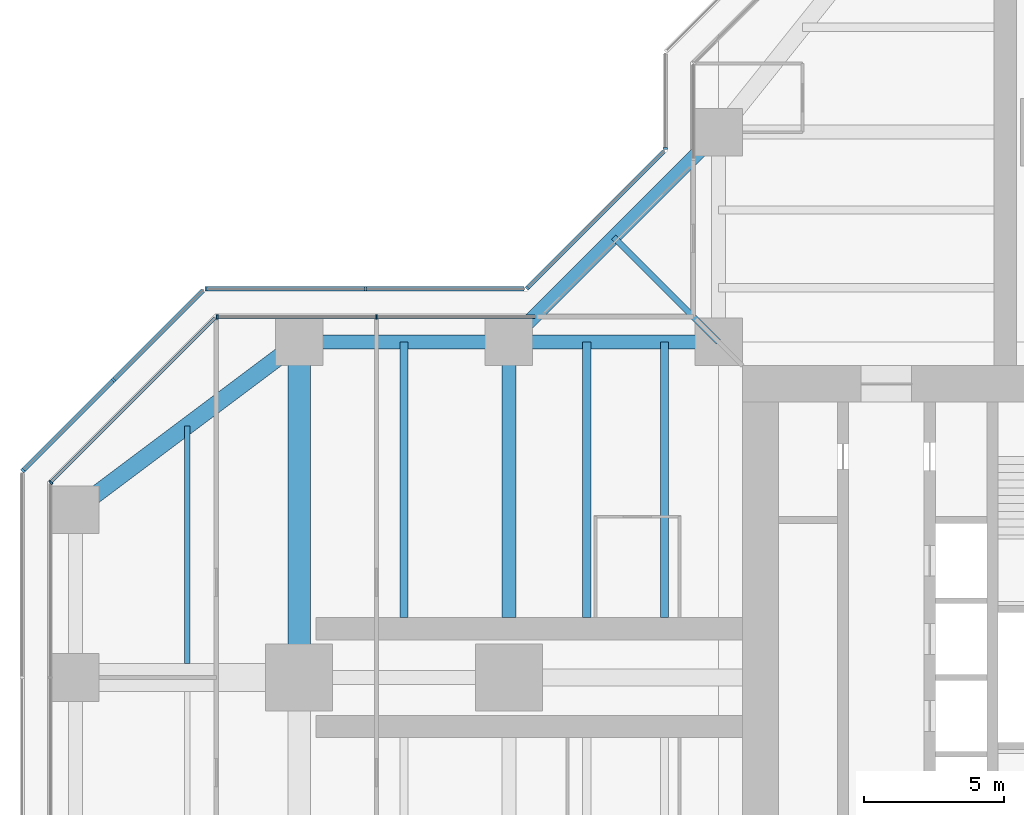
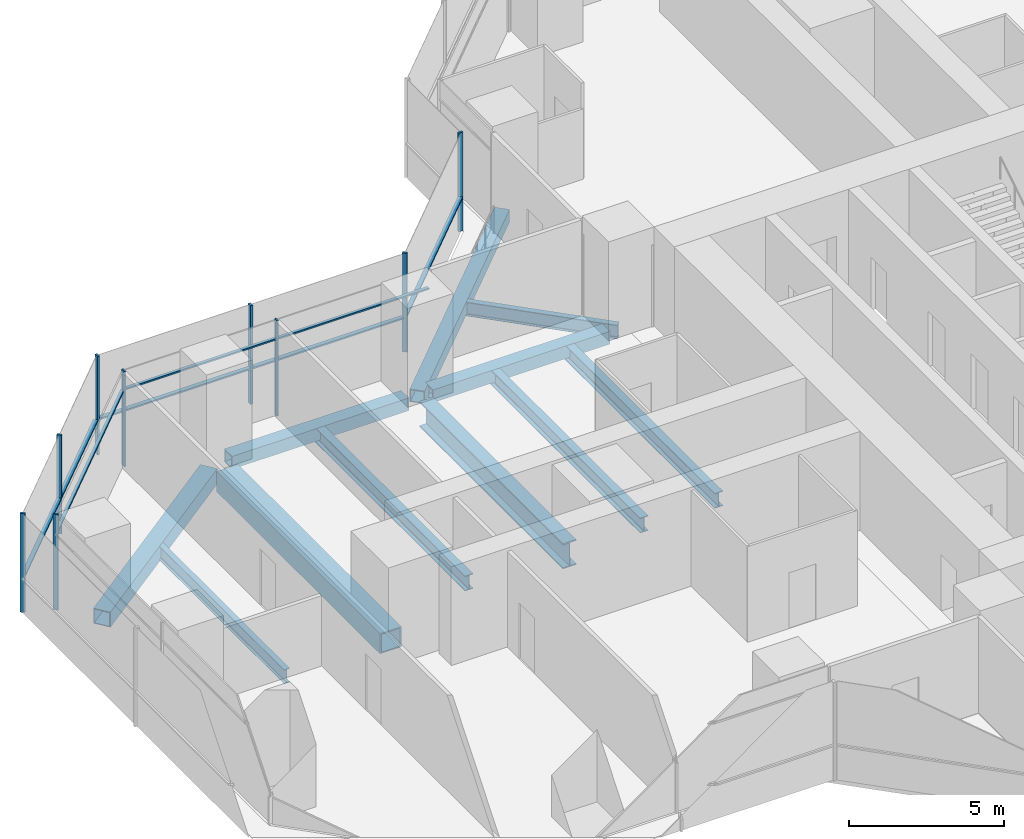
# One storey, part 7 of 20: 17 members, 11 beams, 6 elements without a shape of their own.
"""IFC4 building model written with IfcOpenShell, lengths in metres."""

from ifc_helpers import new_model, si_unit, direction, frame, origin, origin_2d, place, context, subcontext, project, spatial, rectangle, hollow_rectangle, i_section, extrude, material, material_profile, profile_set, type_object, element, aggregate, save


model = new_model("IFC4")

# Units and contexts
model_context = context("Model", 3, precision=1e-05, world=origin(), true_north=direction((0.0, 1.0)))
body_context = subcontext(model_context, "Body", "Model", "MODEL_VIEW")
ifc_project = project(units=[si_unit("LENGTHUNIT", "METRE"), si_unit("AREAUNIT", "SQUARE_METRE"), si_unit("VOLUMEUNIT", "CUBIC_METRE"), si_unit("PLANEANGLEUNIT", "RADIAN"), si_unit("MASSUNIT", "GRAM", prefix="KILO")], contexts=[model_context])

# Site, building, storey
site_placement = place(None, origin())
site = spatial("IfcSite", under=ifc_project, at=site_placement, CompositionType="ELEMENT")
building_placement = place(site_placement, origin())
building = spatial("IfcBuilding", under=site, at=building_placement, Name="Mizan Broadcast Tower", CompositionType="ELEMENT")
storey_placement = place(building_placement, frame((0.0, 0.0, 151.5)))
storey = spatial("IfcBuildingStorey", under=building, at=storey_placement, Name="L34", CompositionType="ELEMENT", Elevation=151.5)

# Beams
ifc_material_1 = material(Name="Steel S355", Category="steel")
ifc_material_profile_1 = material_profile(ifc_material_1, hollow_rectangle(XDim=0.5, YDim=0.5, WallThickness=0.030029296875, at=origin_2d()), Name="BOX 500x500x30")
ifc_profile_set_1 = profile_set([ifc_material_profile_1], Name="Steel S355")
beam_type_1 = type_object("IfcBeamType", Name="EDGE BEAM BOX 500x500x30", PredefinedType="SPANDREL", material=ifc_profile_set_1)
for number, where, z_axis, x_axis, name in (
    (1, (-12.449951171875, 12.0, -0.3798828125), (-1.0, 0.0, 0.0), (0.0, -1.0, 0.0), "Edge beam BOX 500x500x30 L34 west arm"),
    (2, (-19.949951171875, 12.0, -0.3798828125), (-1.0, 0.0, 0.0), (0.0, -1.0, 0.0), "Edge beam BOX 500x500x30 L34 west arm"),
):
    element("IfcBeam", number, at=place(storey_placement, frame(where, z_axis=z_axis, x_axis=x_axis)), inside=storey, type_object=beam_type_1, Name=name, PredefinedType="SPANDREL", context=body_context, shape_type="SweptSolid", body=[
        extrude(hollow_rectangle(XDim=0.5, YDim=0.5, WallThickness=0.030029296875, at=origin_2d()), origin(), (0.0, 0.0, 1.0), 6.60009765625),
    ])
beam_1_placement = place(storey_placement, frame((-12.0, 19.5, -0.3798828125), z_axis=(-0.707106781187, -0.707106781187, 0.0), x_axis=(0.707106781187, -0.707106781187, 0.0)))
element("IfcBeam", 3, at=beam_1_placement, inside=storey, type_object=beam_type_1, Name="Winter garden edge beam L34 N", PredefinedType="SPANDREL", context=body_context, shape_type="SweptSolid", body=[
    extrude(hollow_rectangle(XDim=0.5, YDim=0.5, WallThickness=0.030029296875, at=origin_2d()), origin(), (0.0, 0.0, 1.0), 10.606689453125),
])
ifc_material_2 = material(Name="Steel S355", Category="steel")
ifc_material_profile_2 = material_profile(ifc_material_2, hollow_rectangle(XDim=0.60009765625, YDim=0.60009765625, WallThickness=0.030029296875, at=origin_2d()), Name="BOX 600x600x30")
ifc_profile_set_2 = profile_set([ifc_material_profile_2], Name="Steel S355")
beam_type_2 = type_object("IfcBeamType", Name="EDGE BEAM BOX 600x600x30", PredefinedType="SPANDREL", material=ifc_profile_set_2)
beam_2_placement = place(storey_placement, frame((-27.47998046875, 11.639892578125, -0.429931640625), z_axis=(-0.800013316712, -0.599982243973, 0.0), x_axis=(0.599982243973, -0.800013316712, 0.0)))
element("IfcBeam", 4, at=beam_2_placement, inside=storey, type_object=beam_type_2, Name="Edge beam BOX 600x600x30 L34 west arm", PredefinedType="SPANDREL", context=body_context, shape_type="SweptSolid", body=[
    extrude(hollow_rectangle(XDim=0.60009765625, YDim=0.60009765625, WallThickness=0.030029296875, at=origin_2d()), origin(), (0.0, 0.0, 1.0), 8.7998046875),
])
ifc_material_3 = material(Name="Steel S460", Category="steel")
ifc_material_profile_3 = material_profile(ifc_material_3, hollow_rectangle(XDim=0.800048828125, YDim=0.800048828125, WallThickness=0.050048828125, at=origin_2d()), Name="BOX 800x800x50")
ifc_profile_set_3 = profile_set([ifc_material_profile_3], Name="Steel S460")
beam_type_3 = type_object("IfcBeamType", Name="GIRDER BOX 800x800x50", PredefinedType="BEAM", material=ifc_profile_set_3)
beam_3_placement = place(storey_placement, frame((-27.0, 11.280029296875, -0.530029296875), z_axis=(0.0, -1.0, 0.0), x_axis=(1.0, 0.0, 0.0)))
element("IfcBeam", 5, at=beam_3_placement, inside=storey, type_object=beam_type_3, Name="Girder BOX 800x800x50 L34 west arm", PredefinedType="BEAM", context=body_context, shape_type="SweptSolid", body=[
    extrude(hollow_rectangle(XDim=0.800048828125, YDim=0.800048828125, WallThickness=0.050048828125, at=origin_2d()), origin(), (0.0, 0.0, 1.0), 10.56005859375),
])
ifc_material_4 = material(Name="Steel S460", Category="steel")
ifc_material_profile_4 = material_profile(ifc_material_4, i_section(OverallWidth=0.5, OverallDepth=1.0, WebThickness=0.02490234375, FlangeThickness=0.050048828125, at=origin_2d()), Name="WPG 1000x500")
ifc_profile_set_4 = profile_set([ifc_material_profile_4], Name="Steel S460")
beam_type_4 = type_object("IfcBeamType", Name="GIRDER WPG 1000x500", PredefinedType="BEAM", material=ifc_profile_set_4)
beam_4_placement = place(storey_placement, frame((-19.5, 11.408935546875, -0.6298828125), z_axis=(0.0, -1.0, 0.0), x_axis=(1.0, 0.0, 0.0)))
element("IfcBeam", 6, at=beam_4_placement, inside=storey, type_object=beam_type_4, Name="Girder WPG 1000x500 L34 west arm", PredefinedType="BEAM", context=body_context, shape_type="SweptSolid", body=[
    extrude(i_section(OverallWidth=0.5, OverallDepth=1.0, WebThickness=0.02490234375, FlangeThickness=0.050048828125, at=origin_2d()), origin(), (0.0, 0.0, 1.0), 9.259033203125),
])

# Curtain wall, members
ifc_material_5 = material(Name="Aluminium framed glazing", Category="aluminium")
curtain_wall_type_1 = type_object("IfcCurtainWallType", Name="INNER SKIN MID ZONE", PredefinedType="USERDEFINED", material=ifc_material_5)
curtain_wall_1_placement = place(storey_placement, origin())
curtain_wall_1 = element("IfcCurtainWall", 7, at=curtain_wall_1_placement, inside=storey, type_object=curtain_wall_type_1, Name="Inner skin mid zone L34 W side", ObjectType="INNER SKIN MID ZONE", PredefinedType="USERDEFINED")
ifc_material_6 = material(Name="Aluminium, pale anodised", Category="aluminium")
ifc_material_profile_5 = material_profile(ifc_material_6, rectangle(XDim=0.159912109375, YDim=0.06005859375, at=origin_2d()), Name="MULLION 160x60")
ifc_profile_set_5 = profile_set([ifc_material_profile_5], Name="Aluminium, pale anodised")
member_type_1 = type_object("IfcMemberType", Name="INNER SKIN MULLION 60x160", PredefinedType="MULLION", material=ifc_profile_set_5)
member_1_placement = place(storey_placement, frame((-24.229248046875, 12.89990234375, 0.0), z_axis=(0.0, 0.0, 1.0), x_axis=(0.0, -1.0, 0.0)))
member_1 = element("IfcMember", 8, at=member_1_placement, type_object=member_type_1, Name="Inner skin mid zone L34 W side mullion 2", PredefinedType="MULLION", context=body_context, shape_type="SweptSolid", body=[
    extrude(rectangle(XDim=0.159912109375, YDim=0.06005859375, at=origin_2d()), origin(), (0.0, 0.0, 1.0), 3.77001953125),
])
member_2_placement = place(storey_placement, frame((-29.928466796875, 12.89990234375, 0.0), z_axis=(0.0, 0.0, 1.0), x_axis=(0.0, -1.0, 0.0)))
member_2 = element("IfcMember", 9, at=member_2_placement, type_object=member_type_1, Name="Inner skin mid zone L34 W side mullion 3", PredefinedType="MULLION", context=body_context, shape_type="SweptSolid", body=[
    extrude(rectangle(XDim=0.159912109375, YDim=0.06005859375, at=origin_2d()), origin(), (0.0, 0.0, 1.0), 3.77001953125),
])

# Curtain wall, member
curtain_wall_2_placement = place(storey_placement, origin())
curtain_wall_2 = element("IfcCurtainWall", 10, at=curtain_wall_2_placement, inside=storey, type_object=curtain_wall_type_1, Name="Inner skin mid zone L34 W chamfer", ObjectType="INNER SKIN MID ZONE", PredefinedType="USERDEFINED")
member_3_placement = place(storey_placement, frame((-35.87890625, 6.979736328125, 0.0), z_axis=(0.0, 0.0, 1.0), x_axis=(0.707106781187, -0.707106781187, 0.0)))
member_3 = element("IfcMember", 11, at=member_3_placement, type_object=member_type_1, Name="Inner skin mid zone L34 W chamfer mullion 2", PredefinedType="MULLION", context=body_context, shape_type="SweptSolid", body=[
    extrude(rectangle(XDim=0.159912109375, YDim=0.06005859375, at=origin_2d()), origin(), (0.0, 0.0, 1.0), 3.77001953125),
])

# Member
ifc_material_7 = material(Name="Aluminium, pale anodised", Category="aluminium")
ifc_material_profile_6 = material_profile(ifc_material_7, rectangle(XDim=0.1201171875, YDim=0.06005859375, at=origin_2d()), Name="TRANSOM 120x60")
ifc_profile_set_6 = profile_set([ifc_material_profile_6], Name="Aluminium, pale anodised")
member_type_2 = type_object("IfcMemberType", Name="INNER SKIN TRANSOM 60x120", PredefinedType="USERDEFINED", material=ifc_profile_set_6)
member_4_placement = place(storey_placement, frame((-18.56005859375, 12.89990234375, 3.030029296875), z_axis=(-1.0, 0.0, 0.0), x_axis=(0.0, -1.0, 0.0)))
member_4 = element("IfcMember", 12, at=member_4_placement, type_object=member_type_2, Name="Inner skin mid zone L34 W side transom 1.1", ObjectType="TRANSOM", PredefinedType="USERDEFINED", context=body_context, shape_type="SweptSolid", body=[
    extrude(rectangle(XDim=0.1201171875, YDim=0.06005859375, at=origin_2d()), origin(), (0.0, 0.0, 1.0), 5.63916015625),
])

member_5_placement = place(storey_placement, frame((-24.25927734375, 12.89990234375, 3.030029296875), z_axis=(-1.0, 0.0, 0.0), x_axis=(0.0, -1.0, 0.0)))
member_5 = element("IfcMember", 13, at=member_5_placement, type_object=member_type_2, Name="Inner skin mid zone L34 W side transom 2.1", ObjectType="TRANSOM", PredefinedType="USERDEFINED", context=body_context, shape_type="SweptSolid", body=[
    extrude(rectangle(XDim=0.1201171875, YDim=0.06005859375, at=origin_2d()), origin(), (0.0, 0.0, 1.0), 5.639404296875),
])

aggregate(curtain_wall_1, [member_1, member_2, member_4, member_5])

member_6_placement = place(storey_placement, frame((-30.0009765625, 12.857666015625, 3.030029296875), z_axis=(-0.707106781187, -0.707106781187, 0.0), x_axis=(0.707106781187, -0.707106781187, 0.0)))
member_6 = element("IfcMember", 14, at=member_6_placement, type_object=member_type_2, Name="Inner skin mid zone L34 W chamfer transom 1.1", ObjectType="TRANSOM", PredefinedType="USERDEFINED", context=body_context, shape_type="SweptSolid", body=[
    extrude(rectangle(XDim=0.1201171875, YDim=0.06005859375, at=origin_2d()), origin(), (0.0, 0.0, 1.0), 8.28271484375),
])

aggregate(curtain_wall_2, [member_3, member_6])

# Curtain wall, member
ifc_material_8 = material(Name="Aluminium framed glazing", Category="aluminium")
curtain_wall_type_2 = type_object("IfcCurtainWallType", Name="OUTER SKIN", PredefinedType="USERDEFINED", material=ifc_material_8)
curtain_wall_3_placement = place(storey_placement, origin())
curtain_wall_3 = element("IfcCurtainWall", 15, at=curtain_wall_3_placement, inside=storey, type_object=curtain_wall_type_2, Name="Outer skin L34 N side", ObjectType="OUTER SKIN", PredefinedType="USERDEFINED")
ifc_material_9 = material(Name="Aluminium, pale anodised", Category="aluminium")
ifc_material_profile_7 = material_profile(ifc_material_9, rectangle(XDim=0.159912109375, YDim=0.080078125, at=origin_2d()), Name="MULLION 160x80")
ifc_profile_set_7 = profile_set([ifc_material_profile_7], Name="Aluminium, pale anodised")
member_type_3 = type_object("IfcMemberType", Name="OUTER SKIN MULLION 80x160", PredefinedType="MULLION", material=ifc_profile_set_7)
member_7_placement = place(storey_placement, frame((-13.89990234375, 18.912841796875, 0.0), z_axis=(0.0, 0.0, 1.0), x_axis=(1.0, 0.0, 0.0)))
member_7 = element("IfcMember", 16, at=member_7_placement, type_object=member_type_3, Name="Outer skin L34 N side mullion 2", PredefinedType="MULLION", context=body_context, shape_type="SweptSolid", body=[
    extrude(rectangle(XDim=0.159912109375, YDim=0.080078125, at=origin_2d()), origin(), (0.0, 0.0, 1.0), 3.89990234375),
])
aggregate(curtain_wall_3, [member_7])

curtain_wall_4_placement = place(storey_placement, origin())
curtain_wall_4 = element("IfcCurtainWall", 17, at=curtain_wall_4_placement, inside=storey, type_object=curtain_wall_type_2, Name="Outer skin L34 W chamfer", ObjectType="OUTER SKIN", PredefinedType="USERDEFINED")
member_8_placement = place(storey_placement, frame((-18.844482421875, 13.92822265625, 0.0), z_axis=(0.0, 0.0, 1.0), x_axis=(0.707106781187, -0.707106781187, 0.0)))
member_8 = element("IfcMember", 18, at=member_8_placement, type_object=member_type_3, Name="Outer skin L34 W chamfer mullion 2", PredefinedType="MULLION", context=body_context, shape_type="SweptSolid", body=[
    extrude(rectangle(XDim=0.159912109375, YDim=0.080078125, at=origin_2d()), origin(), (0.0, 0.0, 1.0), 3.89990234375),
])

# Curtain wall, members
curtain_wall_5_placement = place(storey_placement, origin())
curtain_wall_5 = element("IfcCurtainWall", 19, at=curtain_wall_5_placement, inside=storey, type_object=curtain_wall_type_2, Name="Outer skin L34 W side", ObjectType="OUTER SKIN", PredefinedType="USERDEFINED")
member_9_placement = place(storey_placement, frame((-24.622802734375, 13.89990234375, 0.0), z_axis=(0.0, 0.0, 1.0), x_axis=(0.0, -1.0, 0.0)))
member_9 = element("IfcMember", 20, at=member_9_placement, type_object=member_type_3, Name="Outer skin L34 W side mullion 2", PredefinedType="MULLION", context=body_context, shape_type="SweptSolid", body=[
    extrude(rectangle(XDim=0.159912109375, YDim=0.080078125, at=origin_2d()), origin(), (0.0, 0.0, 1.0), 3.89990234375),
])
member_10_placement = place(storey_placement, frame((-30.332763671875, 13.89990234375, 0.0), z_axis=(0.0, 0.0, 1.0), x_axis=(0.0, -1.0, 0.0)))
member_10 = element("IfcMember", 21, at=member_10_placement, type_object=member_type_3, Name="Outer skin L34 W side mullion 3", PredefinedType="MULLION", context=body_context, shape_type="SweptSolid", body=[
    extrude(rectangle(XDim=0.159912109375, YDim=0.080078125, at=origin_2d()), origin(), (0.0, 0.0, 1.0), 3.89990234375),
])

curtain_wall_6_placement = place(storey_placement, origin())
curtain_wall_6 = element("IfcCurtainWall", 22, at=curtain_wall_6_placement, inside=storey, type_object=curtain_wall_type_2, Name="Outer skin L34 W chamfer", ObjectType="OUTER SKIN", PredefinedType="USERDEFINED")
member_11_placement = place(storey_placement, frame((-33.636474609375, 10.636474609375, 0.0), z_axis=(0.0, 0.0, 1.0), x_axis=(0.707106781187, -0.707106781187, 0.0)))
member_11 = element("IfcMember", 23, at=member_11_placement, type_object=member_type_3, Name="Outer skin L34 W chamfer mullion 2", PredefinedType="MULLION", context=body_context, shape_type="SweptSolid", body=[
    extrude(rectangle(XDim=0.159912109375, YDim=0.080078125, at=origin_2d()), origin(), (0.0, 0.0, 1.0), 3.89990234375),
])
member_12_placement = place(storey_placement, frame((-36.871826171875, 7.401123046875, 0.0), z_axis=(0.0, 0.0, 1.0), x_axis=(0.707106781187, -0.707106781187, 0.0)))
member_12 = element("IfcMember", 24, at=member_12_placement, type_object=member_type_3, Name="Outer skin L34 W chamfer mullion 3", PredefinedType="MULLION", context=body_context, shape_type="SweptSolid", body=[
    extrude(rectangle(XDim=0.159912109375, YDim=0.080078125, at=origin_2d()), origin(), (0.0, 0.0, 1.0), 3.89990234375),
])

# Member
ifc_material_10 = material(Name="Aluminium, pale anodised", Category="aluminium")
ifc_material_profile_8 = material_profile(ifc_material_10, rectangle(XDim=0.159912109375, YDim=0.06005859375, at=origin_2d()), Name="TRANSOM 160x60")
ifc_profile_set_8 = profile_set([ifc_material_profile_8], Name="Aluminium, pale anodised")
member_type_4 = type_object("IfcMemberType", Name="OUTER SKIN TRANSOM 60x160", PredefinedType="USERDEFINED", material=ifc_profile_set_8)
member_13_placement = place(storey_placement, frame((-13.95654296875, 18.816162109375, 1.39990234375), z_axis=(-0.707106781187, -0.707106781187, 0.0), x_axis=(0.707106781187, -0.707106781187, 0.0)))
member_13 = element("IfcMember", 25, at=member_13_placement, type_object=member_type_4, Name="Outer skin L34 W chamfer transom 1.1", ObjectType="TRANSOM", PredefinedType="USERDEFINED", context=body_context, shape_type="SweptSolid", body=[
    extrude(rectangle(XDim=0.159912109375, YDim=0.06005859375, at=origin_2d()), origin(), (0.0, 0.0, 1.0), 6.87255859375),
])

aggregate(curtain_wall_4, [member_8, member_13])

member_14_placement = place(storey_placement, frame((-18.952880859375, 13.89990234375, 1.39990234375), z_axis=(-1.0, 0.0, 0.0), x_axis=(0.0, -1.0, 0.0)))
member_14 = element("IfcMember", 26, at=member_14_placement, type_object=member_type_4, Name="Outer skin L34 W side transom 1.1", ObjectType="TRANSOM", PredefinedType="USERDEFINED", context=body_context, shape_type="SweptSolid", body=[
    extrude(rectangle(XDim=0.159912109375, YDim=0.06005859375, at=origin_2d()), origin(), (0.0, 0.0, 1.0), 5.6298828125),
])

member_15_placement = place(storey_placement, frame((-24.662841796875, 13.89990234375, 1.39990234375), z_axis=(-1.0, 0.0, 0.0), x_axis=(0.0, -1.0, 0.0)))
member_15 = element("IfcMember", 27, at=member_15_placement, type_object=member_type_4, Name="Outer skin L34 W side transom 2.1", ObjectType="TRANSOM", PredefinedType="USERDEFINED", context=body_context, shape_type="SweptSolid", body=[
    extrude(rectangle(XDim=0.159912109375, YDim=0.06005859375, at=origin_2d()), origin(), (0.0, 0.0, 1.0), 5.6298828125),
])

aggregate(curtain_wall_5, [member_9, member_10, member_14, member_15])

member_16_placement = place(storey_placement, frame((-30.429443359375, 13.843505859375, 1.39990234375), z_axis=(-0.707106781187, -0.707106781187, 0.0), x_axis=(0.707106781187, -0.707106781187, 0.0)))
member_16 = element("IfcMember", 28, at=member_16_placement, type_object=member_type_4, Name="Outer skin L34 W chamfer transom 1.1", ObjectType="TRANSOM", PredefinedType="USERDEFINED", context=body_context, shape_type="SweptSolid", body=[
    extrude(rectangle(XDim=0.159912109375, YDim=0.06005859375, at=origin_2d()), origin(), (0.0, 0.0, 1.0), 4.495361328125),
])

member_17_placement = place(storey_placement, frame((-33.664794921875, 10.608154296875, 1.39990234375), z_axis=(-0.707106781187, -0.707106781187, 0.0), x_axis=(0.707106781187, -0.707106781187, 0.0)))
member_17 = element("IfcMember", 29, at=member_17_placement, type_object=member_type_4, Name="Outer skin L34 W chamfer transom 2.1", ObjectType="TRANSOM", PredefinedType="USERDEFINED", context=body_context, shape_type="SweptSolid", body=[
    extrude(rectangle(XDim=0.159912109375, YDim=0.06005859375, at=origin_2d()), origin(), (0.0, 0.0, 1.0), 4.495361328125),
])

aggregate(curtain_wall_6, [member_11, member_12, member_16, member_17])

# Beams
ifc_material_11 = material(Name="Steel S355", Category="steel")
ifc_material_profile_9 = material_profile(ifc_material_11, i_section(OverallWidth=0.300048828125, OverallDepth=0.590087890625, WebThickness=0.012939453125, FlangeThickness=0.02490234375, FilletRadius=0.027099609375, at=origin_2d()), Name="HEA 600")
ifc_profile_set_9 = profile_set([ifc_material_profile_9], Name="Steel S355")
beam_type_5 = type_object("IfcBeamType", Name="SECONDARY BEAM HEA 600", PredefinedType="JOIST", material=ifc_profile_set_9)
for number, where, z_axis, x_axis, name in (
    (30, (-13.933349609375, 12.0, -0.425048828125), (0.0, -1.0, 0.0), (1.0, 0.0, 0.0), "Secondary beam HEA 600 L34 west arm"),
    (31, (-16.716552734375, 12.0, -0.425048828125), (0.0, -1.0, 0.0), (1.0, 0.0, 0.0), "Secondary beam HEA 600 L34 west arm"),
    (32, (-23.25, 12.0, -0.425048828125), (0.0, -1.0, 0.0), (1.0, 0.0, 0.0), "Secondary beam HEA 600 L34 west arm"),
):
    element("IfcBeam", number, at=place(storey_placement, frame(where, z_axis=z_axis, x_axis=x_axis)), inside=storey, type_object=beam_type_5, Name=name, PredefinedType="JOIST", context=body_context, shape_type="SweptSolid", body=[
        extrude(i_section(OverallWidth=0.300048828125, OverallDepth=0.590087890625, WebThickness=0.012939453125, FlangeThickness=0.02490234375, FilletRadius=0.027099609375, at=origin_2d()), origin(), (0.0, 0.0, 1.0), 9.85009765625),
    ])
ifc_material_12 = material(Name="Steel S355", Category="steel")
ifc_material_profile_10 = material_profile(ifc_material_12, i_section(OverallWidth=0.2099609375, OverallDepth=0.550048828125, WebThickness=0.010986328125, FlangeThickness=0.01708984375, FilletRadius=0.02392578125, at=origin_2d()), Name="IPE 550")
ifc_profile_set_10 = profile_set([ifc_material_profile_10], Name="Steel S355")
beam_type_6 = type_object("IfcBeamType", Name="SECONDARY BEAM IPE 550", PredefinedType="JOIST", material=ifc_profile_set_10)
beam_5_placement = place(storey_placement, frame((-31.0, 9.0, -0.405029296875), z_axis=(0.0, -1.0, 0.0), x_axis=(1.0, 0.0, 0.0)))
element("IfcBeam", 33, at=beam_5_placement, inside=storey, type_object=beam_type_6, Name="Secondary beam IPE 550 L34 west arm", PredefinedType="JOIST", context=body_context, shape_type="SweptSolid", body=[
    extrude(i_section(OverallWidth=0.2099609375, OverallDepth=0.550048828125, WebThickness=0.010986328125, FlangeThickness=0.01708984375, FilletRadius=0.02392578125, at=origin_2d()), origin(), (0.0, 0.0, 1.0), 8.5),
])
beam_6_placement = place(storey_placement, frame((-12.0, 12.0, -0.405029296875), z_axis=(-0.707106781187, 0.707106781187, 0.0), x_axis=(-0.707106781187, -0.707106781187, 0.0)))
element("IfcBeam", 34, at=beam_6_placement, inside=storey, type_object=beam_type_6, Name="Winter garden beam L34 N", PredefinedType="JOIST", context=body_context, shape_type="SweptSolid", body=[
    extrude(i_section(OverallWidth=0.2099609375, OverallDepth=0.550048828125, WebThickness=0.010986328125, FlangeThickness=0.01708984375, FilletRadius=0.02392578125, at=origin_2d()), origin(), (0.0, 0.0, 1.0), 5.30322265625),
])

save(model, "model.ifc")
